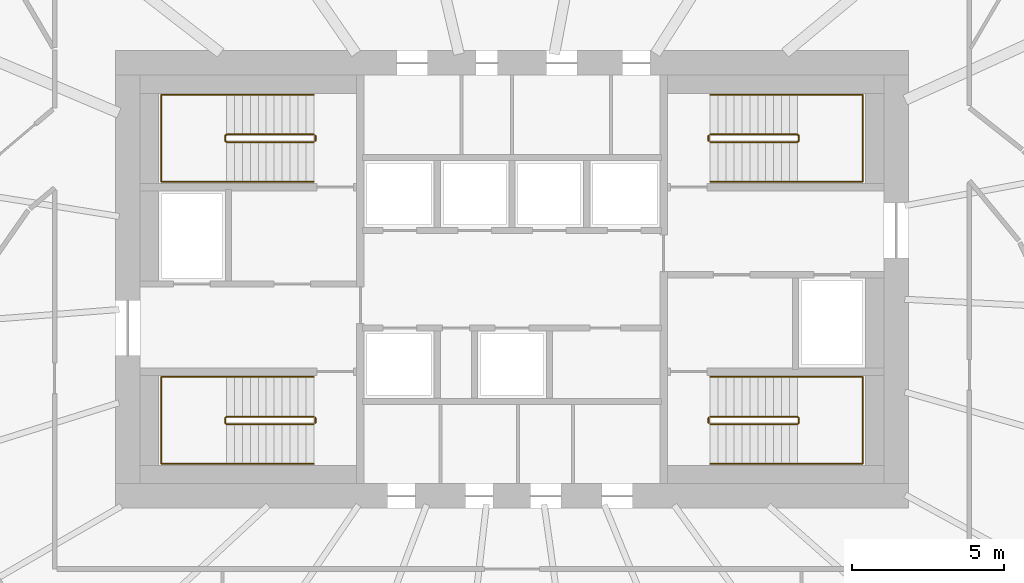
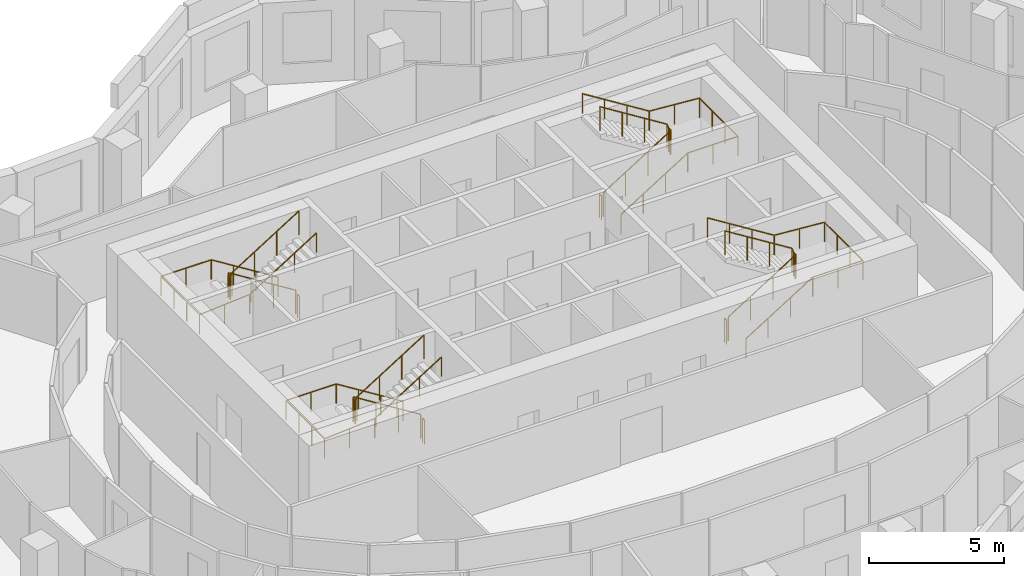
# One storey, part 10 of 10: 12 railings.
"""IFC4 building model written with IfcOpenShell, lengths in metres."""

from ifc_helpers import new_model, si_unit, direction, frame, origin, origin_2d, place, context, subcontext, project, spatial, circle, extrude, material, type_object, element, save


model = new_model("IFC4")

# Units and contexts
model_context = context("Model", 3, precision=1e-05, world=origin(), true_north=direction((0.0, 1.0)))
body_context = subcontext(model_context, "Body", "Model", "MODEL_VIEW")
ifc_project = project(units=[si_unit("LENGTHUNIT", "METRE"), si_unit("AREAUNIT", "SQUARE_METRE"), si_unit("VOLUMEUNIT", "CUBIC_METRE"), si_unit("PLANEANGLEUNIT", "RADIAN"), si_unit("MASSUNIT", "GRAM", prefix="KILO")], contexts=[model_context])

# Site, building, storey
site_placement = place(None, origin())
site = spatial("IfcSite", under=ifc_project, at=site_placement, CompositionType="ELEMENT")
building_placement = place(site_placement, origin())
building = spatial("IfcBuilding", under=site, at=building_placement, Name="Rubra Terraces Tower", CompositionType="ELEMENT")
storey_placement = place(building_placement, frame((0.0, 0.0, 205.199951171875)))
storey = spatial("IfcBuildingStorey", under=building, at=storey_placement, Name="L50", CompositionType="ELEMENT", Elevation=205.199951171875)

# Railings
ifc_material = material(Name="Stainless steel", Category="steel")
railing_type_1 = type_object("IfcRailingType", Name="Core stair guard 1100", PredefinedType="GUARDRAIL", material=ifc_material)
railing_1_placement = place(storey_placement, frame((-6.5, 0.0, 0.16259765625)))
element("IfcRailing", 1, at=railing_1_placement, inside=storey, type_object=railing_type_1, Name="L50 stair S1 guard 1", PredefinedType="GUARDRAIL", context=body_context, shape_type="SweptSolid", body=[
    extrude(circle(Radius=0.02392578125, at=origin_2d()), frame((0.0, 0.0, 1.076171875), z_axis=(-0.848026770018, 0.0, 0.529953391661), x_axis=(0.0, -1.0, 0.0)), (0.0, 0.0, 1.0), 3.37255859375),
    extrude(circle(Radius=0.02392578125, at=origin_2d()), frame((-2.860107421875, 0.0, 2.86328125), z_axis=(-0.705375805398, -0.708833529934, 0.0), x_axis=(0.708833529934, -0.705375805398, 0.0)), (0.0, 0.0, 1.0), 0.070556640625),
    extrude(circle(Radius=0.02392578125, at=origin_2d()), frame((-2.909912109375, -0.050048828125, 2.86328125), z_axis=(0.0, -1.0, 0.0), x_axis=(1.0, 0.0, 0.0)), (0.0, 0.0, 1.0), 0.14990234375),
    extrude(circle(Radius=0.02392578125, at=origin_2d()), frame((-2.909912109375, -0.199951171875, 2.86328125), z_axis=(0.280959487676, -0.282336740067, 0.917250092119), x_axis=(0.708833529934, 0.705375805398, 0.0)), (0.0, 0.0, 1.0), 0.17724609375),
    extrude(circle(Radius=0.02392578125, at=origin_2d()), frame((-2.860107421875, -0.25, 3.02587890625), z_axis=(0.847994237388, 0.0, 0.530005446535), x_axis=(0.0, 1.0, 0.0)), (0.0, 0.0, 1.0), 3.372802734375),
    extrude(circle(Radius=0.02099609375, at=origin_2d()), origin(), (0.0, 0.0, 1.0), 1.052001953125),
    extrude(circle(Radius=0.02099609375, at=origin_2d()), frame((-0.953369140625, 0.0, 0.595703125)), (0.0, 0.0, 1.0), 1.052001953125),
    extrude(circle(Radius=0.02099609375, at=origin_2d()), frame((-1.90673828125, 0.0, 1.191650390625)), (0.0, 0.0, 1.0), 1.052001953125),
    extrude(circle(Radius=0.02099609375, at=origin_2d()), frame((-2.860107421875, 0.0, 1.787353515625)), (0.0, 0.0, 1.0), 1.052001953125),
    extrude(circle(Radius=0.02099609375, at=origin_2d()), frame((-2.909912109375, -0.050048828125, 1.787353515625)), (0.0, 0.0, 1.0), 1.052001953125),
    extrude(circle(Radius=0.02099609375, at=origin_2d()), frame((-2.909912109375, -0.199951171875, 1.787353515625)), (0.0, 0.0, 1.0), 1.052001953125),
    extrude(circle(Radius=0.02099609375, at=origin_2d()), frame((-2.860107421875, -0.25, 1.949951171875)), (0.0, 0.0, 1.0), 1.052001953125),
    extrude(circle(Radius=0.02099609375, at=origin_2d()), frame((-1.90673828125, -0.25, 2.5458984375)), (0.0, 0.0, 1.0), 1.052001953125),
    extrude(circle(Radius=0.02099609375, at=origin_2d()), frame((-0.953369140625, -0.25, 3.1416015625)), (0.0, 0.0, 1.0), 1.052001953125),
    extrude(circle(Radius=0.02099609375, at=origin_2d()), frame((0.0, -0.25, 3.737548828125)), (0.0, 0.0, 1.0), 1.052001953125),
])
railing_2_placement = place(storey_placement, frame((-6.449951171875, -0.050048828125, 0.0)))
element("IfcRailing", 2, at=railing_2_placement, inside=storey, type_object=railing_type_1, Name="L50 stair S1 guard 2", PredefinedType="GUARDRAIL", context=body_context, shape_type="SweptSolid", body=[
    extrude(circle(Radius=0.02392578125, at=origin_2d()), frame((0.0, 0.0, 1.076171875), z_axis=(0.0, -1.0, 0.0), x_axis=(1.0, 0.0, 0.0)), (0.0, 0.0, 1.0), 0.14990234375),
    extrude(circle(Radius=0.02099609375, at=origin_2d()), origin(), (0.0, 0.0, 1.0), 1.052001953125),
    extrude(circle(Radius=0.02099609375, at=origin_2d()), frame((0.0, -0.14990234375, 0.0)), (0.0, 0.0, 1.0), 1.052001953125),
])
railing_3_placement = place(storey_placement, frame((-6.5, 9.25, 0.16259765625)))
element("IfcRailing", 3, at=railing_3_placement, inside=storey, type_object=railing_type_1, Name="L50 stair S2 guard 1", PredefinedType="GUARDRAIL", context=body_context, shape_type="SweptSolid", body=[
    extrude(circle(Radius=0.02392578125, at=origin_2d()), frame((0.0, 0.0, 1.076171875), z_axis=(-0.848026770018, 0.0, 0.529953391661), x_axis=(0.0, -1.0, 0.0)), (0.0, 0.0, 1.0), 3.37255859375),
    extrude(circle(Radius=0.02392578125, at=origin_2d()), frame((-2.860107421875, 0.0, 2.86328125), z_axis=(-0.705375805398, -0.708833529934, 0.0), x_axis=(0.708833529934, -0.705375805398, 0.0)), (0.0, 0.0, 1.0), 0.070556640625),
    extrude(circle(Radius=0.02392578125, at=origin_2d()), frame((-2.909912109375, -0.050048828125, 2.86328125), z_axis=(0.0, -1.0, 0.0), x_axis=(1.0, 0.0, 0.0)), (0.0, 0.0, 1.0), 0.14990234375),
    extrude(circle(Radius=0.02392578125, at=origin_2d()), frame((-2.909912109375, -0.199951171875, 2.86328125), z_axis=(0.280959487676, -0.282336740067, 0.917250092119), x_axis=(0.708833529934, 0.705375805398, 0.0)), (0.0, 0.0, 1.0), 0.17724609375),
    extrude(circle(Radius=0.02392578125, at=origin_2d()), frame((-2.860107421875, -0.25, 3.02587890625), z_axis=(0.847994237388, 0.0, 0.530005446535), x_axis=(0.0, 1.0, 0.0)), (0.0, 0.0, 1.0), 3.372802734375),
    extrude(circle(Radius=0.02099609375, at=origin_2d()), origin(), (0.0, 0.0, 1.0), 1.052001953125),
    extrude(circle(Radius=0.02099609375, at=origin_2d()), frame((-0.953369140625, 0.0, 0.595703125)), (0.0, 0.0, 1.0), 1.052001953125),
    extrude(circle(Radius=0.02099609375, at=origin_2d()), frame((-1.90673828125, 0.0, 1.191650390625)), (0.0, 0.0, 1.0), 1.052001953125),
    extrude(circle(Radius=0.02099609375, at=origin_2d()), frame((-2.860107421875, 0.0, 1.787353515625)), (0.0, 0.0, 1.0), 1.052001953125),
    extrude(circle(Radius=0.02099609375, at=origin_2d()), frame((-2.909912109375, -0.050048828125, 1.787353515625)), (0.0, 0.0, 1.0), 1.052001953125),
    extrude(circle(Radius=0.02099609375, at=origin_2d()), frame((-2.909912109375, -0.199951171875, 1.787353515625)), (0.0, 0.0, 1.0), 1.052001953125),
    extrude(circle(Radius=0.02099609375, at=origin_2d()), frame((-2.860107421875, -0.25, 1.949951171875)), (0.0, 0.0, 1.0), 1.052001953125),
    extrude(circle(Radius=0.02099609375, at=origin_2d()), frame((-1.90673828125, -0.25, 2.5458984375)), (0.0, 0.0, 1.0), 1.052001953125),
    extrude(circle(Radius=0.02099609375, at=origin_2d()), frame((-0.953369140625, -0.25, 3.1416015625)), (0.0, 0.0, 1.0), 1.052001953125),
    extrude(circle(Radius=0.02099609375, at=origin_2d()), frame((0.0, -0.25, 3.737548828125)), (0.0, 0.0, 1.0), 1.052001953125),
])
railing_4_placement = place(storey_placement, frame((-6.449951171875, 9.199951171875, 0.0)))
element("IfcRailing", 4, at=railing_4_placement, inside=storey, type_object=railing_type_1, Name="L50 stair S2 guard 2", PredefinedType="GUARDRAIL", context=body_context, shape_type="SweptSolid", body=[
    extrude(circle(Radius=0.02392578125, at=origin_2d()), frame((0.0, 0.0, 1.076171875), z_axis=(0.0, -1.0, 0.0), x_axis=(1.0, 0.0, 0.0)), (0.0, 0.0, 1.0), 0.14990234375),
    extrude(circle(Radius=0.02099609375, at=origin_2d()), origin(), (0.0, 0.0, 1.0), 1.052001953125),
    extrude(circle(Radius=0.02099609375, at=origin_2d()), frame((0.0, -0.14990234375, 0.0)), (0.0, 0.0, 1.0), 1.052001953125),
])
railing_5_placement = place(storey_placement, frame((6.5, 9.0, 0.16259765625)))
element("IfcRailing", 5, at=railing_5_placement, inside=storey, type_object=railing_type_1, Name="L50 stair S3 guard 1", PredefinedType="GUARDRAIL", context=body_context, shape_type="SweptSolid", body=[
    extrude(circle(Radius=0.02392578125, at=origin_2d()), frame((0.0, 0.0, 1.076171875), z_axis=(0.848026770018, 0.0, 0.529953391661), x_axis=(0.0, 1.0, 0.0)), (0.0, 0.0, 1.0), 3.37255859375),
    extrude(circle(Radius=0.02392578125, at=origin_2d()), frame((2.860107421875, 0.0, 2.86328125), z_axis=(0.705375805398, 0.708833529934, 0.0), x_axis=(-0.708833529934, 0.705375805398, 0.0)), (0.0, 0.0, 1.0), 0.070556640625),
    extrude(circle(Radius=0.02392578125, at=origin_2d()), frame((2.909912109375, 0.050048828125, 2.86328125), z_axis=(0.0, 1.0, 0.0), x_axis=(-1.0, 0.0, 0.0)), (0.0, 0.0, 1.0), 0.14990234375),
    extrude(circle(Radius=0.02392578125, at=origin_2d()), frame((2.909912109375, 0.199951171875, 2.86328125), z_axis=(-0.280959487676, 0.282336740067, 0.917250092119), x_axis=(-0.708833529934, -0.705375805398, 0.0)), (0.0, 0.0, 1.0), 0.17724609375),
    extrude(circle(Radius=0.02392578125, at=origin_2d()), frame((2.860107421875, 0.25, 3.02587890625), z_axis=(-0.847994237388, 0.0, 0.530005446535), x_axis=(0.0, -1.0, 0.0)), (0.0, 0.0, 1.0), 3.372802734375),
    extrude(circle(Radius=0.02099609375, at=origin_2d()), origin(), (0.0, 0.0, 1.0), 1.052001953125),
    extrude(circle(Radius=0.02099609375, at=origin_2d()), frame((0.953369140625, 0.0, 0.595703125)), (0.0, 0.0, 1.0), 1.052001953125),
    extrude(circle(Radius=0.02099609375, at=origin_2d()), frame((1.90673828125, 0.0, 1.191650390625)), (0.0, 0.0, 1.0), 1.052001953125),
    extrude(circle(Radius=0.02099609375, at=origin_2d()), frame((2.860107421875, 0.0, 1.787353515625)), (0.0, 0.0, 1.0), 1.052001953125),
    extrude(circle(Radius=0.02099609375, at=origin_2d()), frame((2.909912109375, 0.050048828125, 1.787353515625)), (0.0, 0.0, 1.0), 1.052001953125),
    extrude(circle(Radius=0.02099609375, at=origin_2d()), frame((2.909912109375, 0.199951171875, 1.787353515625)), (0.0, 0.0, 1.0), 1.052001953125),
    extrude(circle(Radius=0.02099609375, at=origin_2d()), frame((2.860107421875, 0.25, 1.949951171875)), (0.0, 0.0, 1.0), 1.052001953125),
    extrude(circle(Radius=0.02099609375, at=origin_2d()), frame((1.90673828125, 0.25, 2.5458984375)), (0.0, 0.0, 1.0), 1.052001953125),
    extrude(circle(Radius=0.02099609375, at=origin_2d()), frame((0.953369140625, 0.25, 3.1416015625)), (0.0, 0.0, 1.0), 1.052001953125),
    extrude(circle(Radius=0.02099609375, at=origin_2d()), frame((0.0, 0.25, 3.737548828125)), (0.0, 0.0, 1.0), 1.052001953125),
])
railing_6_placement = place(storey_placement, frame((6.449951171875, 9.050048828125, 0.0)))
element("IfcRailing", 6, at=railing_6_placement, inside=storey, type_object=railing_type_1, Name="L50 stair S3 guard 2", PredefinedType="GUARDRAIL", context=body_context, shape_type="SweptSolid", body=[
    extrude(circle(Radius=0.02392578125, at=origin_2d()), frame((0.0, 0.0, 1.076171875), z_axis=(0.0, 1.0, 0.0), x_axis=(-1.0, 0.0, 0.0)), (0.0, 0.0, 1.0), 0.14990234375),
    extrude(circle(Radius=0.02099609375, at=origin_2d()), origin(), (0.0, 0.0, 1.0), 1.052001953125),
    extrude(circle(Radius=0.02099609375, at=origin_2d()), frame((0.0, 0.14990234375, 0.0)), (0.0, 0.0, 1.0), 1.052001953125),
])
railing_7_placement = place(storey_placement, frame((6.5, -0.25, 0.16259765625)))
element("IfcRailing", 7, at=railing_7_placement, inside=storey, type_object=railing_type_1, Name="L50 stair S4 guard 1", PredefinedType="GUARDRAIL", context=body_context, shape_type="SweptSolid", body=[
    extrude(circle(Radius=0.02392578125, at=origin_2d()), frame((0.0, 0.0, 1.076171875), z_axis=(0.848026770018, 0.0, 0.529953391661), x_axis=(0.0, 1.0, 0.0)), (0.0, 0.0, 1.0), 3.37255859375),
    extrude(circle(Radius=0.02392578125, at=origin_2d()), frame((2.860107421875, 0.0, 2.86328125), z_axis=(0.705375805398, 0.708833529934, 0.0), x_axis=(-0.708833529934, 0.705375805398, 0.0)), (0.0, 0.0, 1.0), 0.070556640625),
    extrude(circle(Radius=0.02392578125, at=origin_2d()), frame((2.909912109375, 0.050048828125, 2.86328125), z_axis=(0.0, 1.0, 0.0), x_axis=(-1.0, 0.0, 0.0)), (0.0, 0.0, 1.0), 0.14990234375),
    extrude(circle(Radius=0.02392578125, at=origin_2d()), frame((2.909912109375, 0.199951171875, 2.86328125), z_axis=(-0.280959487676, 0.282336740067, 0.917250092119), x_axis=(-0.708833529934, -0.705375805398, 0.0)), (0.0, 0.0, 1.0), 0.17724609375),
    extrude(circle(Radius=0.02392578125, at=origin_2d()), frame((2.860107421875, 0.25, 3.02587890625), z_axis=(-0.847994237388, 0.0, 0.530005446535), x_axis=(0.0, -1.0, 0.0)), (0.0, 0.0, 1.0), 3.372802734375),
    extrude(circle(Radius=0.02099609375, at=origin_2d()), origin(), (0.0, 0.0, 1.0), 1.052001953125),
    extrude(circle(Radius=0.02099609375, at=origin_2d()), frame((0.953369140625, 0.0, 0.595703125)), (0.0, 0.0, 1.0), 1.052001953125),
    extrude(circle(Radius=0.02099609375, at=origin_2d()), frame((1.90673828125, 0.0, 1.191650390625)), (0.0, 0.0, 1.0), 1.052001953125),
    extrude(circle(Radius=0.02099609375, at=origin_2d()), frame((2.860107421875, 0.0, 1.787353515625)), (0.0, 0.0, 1.0), 1.052001953125),
    extrude(circle(Radius=0.02099609375, at=origin_2d()), frame((2.909912109375, 0.050048828125, 1.787353515625)), (0.0, 0.0, 1.0), 1.052001953125),
    extrude(circle(Radius=0.02099609375, at=origin_2d()), frame((2.909912109375, 0.199951171875, 1.787353515625)), (0.0, 0.0, 1.0), 1.052001953125),
    extrude(circle(Radius=0.02099609375, at=origin_2d()), frame((2.860107421875, 0.25, 1.949951171875)), (0.0, 0.0, 1.0), 1.052001953125),
    extrude(circle(Radius=0.02099609375, at=origin_2d()), frame((1.90673828125, 0.25, 2.5458984375)), (0.0, 0.0, 1.0), 1.052001953125),
    extrude(circle(Radius=0.02099609375, at=origin_2d()), frame((0.953369140625, 0.25, 3.1416015625)), (0.0, 0.0, 1.0), 1.052001953125),
    extrude(circle(Radius=0.02099609375, at=origin_2d()), frame((0.0, 0.25, 3.737548828125)), (0.0, 0.0, 1.0), 1.052001953125),
])
railing_8_placement = place(storey_placement, frame((6.449951171875, -0.199951171875, 0.0)))
element("IfcRailing", 8, at=railing_8_placement, inside=storey, type_object=railing_type_1, Name="L50 stair S4 guard 2", PredefinedType="GUARDRAIL", context=body_context, shape_type="SweptSolid", body=[
    extrude(circle(Radius=0.02392578125, at=origin_2d()), frame((0.0, 0.0, 1.076171875), z_axis=(0.0, 1.0, 0.0), x_axis=(-1.0, 0.0, 0.0)), (0.0, 0.0, 1.0), 0.14990234375),
    extrude(circle(Radius=0.02099609375, at=origin_2d()), origin(), (0.0, 0.0, 1.0), 1.052001953125),
    extrude(circle(Radius=0.02099609375, at=origin_2d()), frame((0.0, 0.14990234375, 0.0)), (0.0, 0.0, 1.0), 1.052001953125),
])
railing_type_2 = type_object("IfcRailingType", Name="Core stair handrail 900", PredefinedType="HANDRAIL", material=ifc_material)
railing_9_placement = place(storey_placement, frame((-6.5, 1.300048828125, 0.16259765625)))
element("IfcRailing", 9, at=railing_9_placement, inside=storey, type_object=railing_type_2, Name="L50 stair S1 handrail 1", PredefinedType="HANDRAIL", context=body_context, shape_type="SweptSolid", body=[
    extrude(circle(Radius=0.02392578125, at=origin_2d()), frame((0.0, 0.0, 0.8759765625), z_axis=(-0.848026770018, 0.0, 0.529953391661), x_axis=(0.0, -1.0, 0.0)), (0.0, 0.0, 1.0), 3.37255859375),
    extrude(circle(Radius=0.02392578125, at=origin_2d()), frame((-2.860107421875, 0.0, 2.6630859375), z_axis=(-1.0, 0.0, 0.0), x_axis=(0.0, -1.0, 0.0)), (0.0, 0.0, 1.0), 2.139892578125),
    extrude(circle(Radius=0.02392578125, at=origin_2d()), frame((-5.0, 0.0, 2.6630859375), z_axis=(0.0, -1.0, 0.0), x_axis=(1.0, 0.0, 0.0)), (0.0, 0.0, 1.0), 2.85009765625),
    extrude(circle(Radius=0.02392578125, at=origin_2d()), frame((-5.0, -2.85009765625, 2.6630859375), z_axis=(0.997125654253, 0.0, 0.075765623016), x_axis=(0.0, 1.0, 0.0)), (0.0, 0.0, 1.0), 2.14599609375),
    extrude(circle(Radius=0.02392578125, at=origin_2d()), frame((-2.860107421875, -2.85009765625, 2.82568359375), z_axis=(0.847994237388, 0.0, 0.530005446535), x_axis=(0.0, 1.0, 0.0)), (0.0, 0.0, 1.0), 3.372802734375),
    extrude(circle(Radius=0.02099609375, at=origin_2d()), origin(), (0.0, 0.0, 1.0), 0.851806640625),
    extrude(circle(Radius=0.02099609375, at=origin_2d()), frame((-0.953369140625, 0.0, 0.595703125)), (0.0, 0.0, 1.0), 0.851806640625),
    extrude(circle(Radius=0.02099609375, at=origin_2d()), frame((-1.90673828125, 0.0, 1.191650390625)), (0.0, 0.0, 1.0), 0.851806640625),
    extrude(circle(Radius=0.02099609375, at=origin_2d()), frame((-2.860107421875, 0.0, 1.787353515625)), (0.0, 0.0, 1.0), 0.851806640625),
    extrude(circle(Radius=0.02099609375, at=origin_2d()), frame((-3.93017578125, 0.0, 1.787353515625)), (0.0, 0.0, 1.0), 0.851806640625),
    extrude(circle(Radius=0.02099609375, at=origin_2d()), frame((-5.0, 0.0, 1.787353515625)), (0.0, 0.0, 1.0), 0.851806640625),
    extrude(circle(Radius=0.02099609375, at=origin_2d()), frame((-5.0, -0.949951171875, 1.787353515625)), (0.0, 0.0, 1.0), 0.851806640625),
    extrude(circle(Radius=0.02099609375, at=origin_2d()), frame((-5.0, -1.900146484375, 1.787353515625)), (0.0, 0.0, 1.0), 0.851806640625),
    extrude(circle(Radius=0.02099609375, at=origin_2d()), frame((-5.0, -2.85009765625, 1.787353515625)), (0.0, 0.0, 1.0), 0.851806640625),
    extrude(circle(Radius=0.02099609375, at=origin_2d()), frame((-3.93017578125, -2.85009765625, 1.86865234375)), (0.0, 0.0, 1.0), 0.851806640625),
    extrude(circle(Radius=0.02099609375, at=origin_2d()), frame((-2.860107421875, -2.85009765625, 1.949951171875)), (0.0, 0.0, 1.0), 0.851806640625),
    extrude(circle(Radius=0.02099609375, at=origin_2d()), frame((-1.90673828125, -2.85009765625, 2.5458984375)), (0.0, 0.0, 1.0), 0.851806640625),
    extrude(circle(Radius=0.02099609375, at=origin_2d()), frame((-0.953369140625, -2.85009765625, 3.1416015625)), (0.0, 0.0, 1.0), 0.851806640625),
    extrude(circle(Radius=0.02099609375, at=origin_2d()), frame((0.0, -2.85009765625, 3.737548828125)), (0.0, 0.0, 1.0), 0.851806640625),
])
railing_10_placement = place(storey_placement, frame((-6.5, 10.550048828125, 0.16259765625)))
element("IfcRailing", 10, at=railing_10_placement, inside=storey, type_object=railing_type_2, Name="L50 stair S2 handrail 1", PredefinedType="HANDRAIL", context=body_context, shape_type="SweptSolid", body=[
    extrude(circle(Radius=0.02392578125, at=origin_2d()), frame((0.0, 0.0, 0.8759765625), z_axis=(-0.848026770018, 0.0, 0.529953391661), x_axis=(0.0, -1.0, 0.0)), (0.0, 0.0, 1.0), 3.37255859375),
    extrude(circle(Radius=0.02392578125, at=origin_2d()), frame((-2.860107421875, 0.0, 2.6630859375), z_axis=(-1.0, 0.0, 0.0), x_axis=(0.0, -1.0, 0.0)), (0.0, 0.0, 1.0), 2.139892578125),
    extrude(circle(Radius=0.02392578125, at=origin_2d()), frame((-5.0, 0.0, 2.6630859375), z_axis=(0.0, -1.0, 0.0), x_axis=(1.0, 0.0, 0.0)), (0.0, 0.0, 1.0), 2.85009765625),
    extrude(circle(Radius=0.02392578125, at=origin_2d()), frame((-5.0, -2.85009765625, 2.6630859375), z_axis=(0.997125654253, 0.0, 0.075765623016), x_axis=(0.0, 1.0, 0.0)), (0.0, 0.0, 1.0), 2.14599609375),
    extrude(circle(Radius=0.02392578125, at=origin_2d()), frame((-2.860107421875, -2.85009765625, 2.82568359375), z_axis=(0.847994237388, 0.0, 0.530005446535), x_axis=(0.0, 1.0, 0.0)), (0.0, 0.0, 1.0), 3.372802734375),
    extrude(circle(Radius=0.02099609375, at=origin_2d()), origin(), (0.0, 0.0, 1.0), 0.851806640625),
    extrude(circle(Radius=0.02099609375, at=origin_2d()), frame((-0.953369140625, 0.0, 0.595703125)), (0.0, 0.0, 1.0), 0.851806640625),
    extrude(circle(Radius=0.02099609375, at=origin_2d()), frame((-1.90673828125, 0.0, 1.191650390625)), (0.0, 0.0, 1.0), 0.851806640625),
    extrude(circle(Radius=0.02099609375, at=origin_2d()), frame((-2.860107421875, 0.0, 1.787353515625)), (0.0, 0.0, 1.0), 0.851806640625),
    extrude(circle(Radius=0.02099609375, at=origin_2d()), frame((-3.93017578125, 0.0, 1.787353515625)), (0.0, 0.0, 1.0), 0.851806640625),
    extrude(circle(Radius=0.02099609375, at=origin_2d()), frame((-5.0, 0.0, 1.787353515625)), (0.0, 0.0, 1.0), 0.851806640625),
    extrude(circle(Radius=0.02099609375, at=origin_2d()), frame((-5.0, -0.949951171875, 1.787353515625)), (0.0, 0.0, 1.0), 0.851806640625),
    extrude(circle(Radius=0.02099609375, at=origin_2d()), frame((-5.0, -1.900146484375, 1.787353515625)), (0.0, 0.0, 1.0), 0.851806640625),
    extrude(circle(Radius=0.02099609375, at=origin_2d()), frame((-5.0, -2.85009765625, 1.787353515625)), (0.0, 0.0, 1.0), 0.851806640625),
    extrude(circle(Radius=0.02099609375, at=origin_2d()), frame((-3.93017578125, -2.85009765625, 1.86865234375)), (0.0, 0.0, 1.0), 0.851806640625),
    extrude(circle(Radius=0.02099609375, at=origin_2d()), frame((-2.860107421875, -2.85009765625, 1.949951171875)), (0.0, 0.0, 1.0), 0.851806640625),
    extrude(circle(Radius=0.02099609375, at=origin_2d()), frame((-1.90673828125, -2.85009765625, 2.5458984375)), (0.0, 0.0, 1.0), 0.851806640625),
    extrude(circle(Radius=0.02099609375, at=origin_2d()), frame((-0.953369140625, -2.85009765625, 3.1416015625)), (0.0, 0.0, 1.0), 0.851806640625),
    extrude(circle(Radius=0.02099609375, at=origin_2d()), frame((0.0, -2.85009765625, 3.737548828125)), (0.0, 0.0, 1.0), 0.851806640625),
])
railing_11_placement = place(storey_placement, frame((6.5, 7.699951171875, 0.16259765625)))
element("IfcRailing", 11, at=railing_11_placement, inside=storey, type_object=railing_type_2, Name="L50 stair S3 handrail 1", PredefinedType="HANDRAIL", context=body_context, shape_type="SweptSolid", body=[
    extrude(circle(Radius=0.02392578125, at=origin_2d()), frame((0.0, 0.0, 0.8759765625), z_axis=(0.848026770018, 0.0, 0.529953391661), x_axis=(0.0, 1.0, 0.0)), (0.0, 0.0, 1.0), 3.37255859375),
    extrude(circle(Radius=0.02392578125, at=origin_2d()), frame((2.860107421875, 0.0, 2.6630859375), z_axis=(1.0, 0.0, 0.0), x_axis=(0.0, 1.0, 0.0)), (0.0, 0.0, 1.0), 2.139892578125),
    extrude(circle(Radius=0.02392578125, at=origin_2d()), frame((5.0, 0.0, 2.6630859375), z_axis=(0.0, 1.0, 0.0), x_axis=(-1.0, 0.0, 0.0)), (0.0, 0.0, 1.0), 2.85009765625),
    extrude(circle(Radius=0.02392578125, at=origin_2d()), frame((5.0, 2.85009765625, 2.6630859375), z_axis=(-0.997125654253, 0.0, 0.075765623016), x_axis=(0.0, -1.0, 0.0)), (0.0, 0.0, 1.0), 2.14599609375),
    extrude(circle(Radius=0.02392578125, at=origin_2d()), frame((2.860107421875, 2.85009765625, 2.82568359375), z_axis=(-0.847994237388, 0.0, 0.530005446535), x_axis=(0.0, -1.0, 0.0)), (0.0, 0.0, 1.0), 3.372802734375),
    extrude(circle(Radius=0.02099609375, at=origin_2d()), origin(), (0.0, 0.0, 1.0), 0.851806640625),
    extrude(circle(Radius=0.02099609375, at=origin_2d()), frame((0.953369140625, 0.0, 0.595703125)), (0.0, 0.0, 1.0), 0.851806640625),
    extrude(circle(Radius=0.02099609375, at=origin_2d()), frame((1.90673828125, 0.0, 1.191650390625)), (0.0, 0.0, 1.0), 0.851806640625),
    extrude(circle(Radius=0.02099609375, at=origin_2d()), frame((2.860107421875, 0.0, 1.787353515625)), (0.0, 0.0, 1.0), 0.851806640625),
    extrude(circle(Radius=0.02099609375, at=origin_2d()), frame((3.93017578125, 0.0, 1.787353515625)), (0.0, 0.0, 1.0), 0.851806640625),
    extrude(circle(Radius=0.02099609375, at=origin_2d()), frame((5.0, 0.0, 1.787353515625)), (0.0, 0.0, 1.0), 0.851806640625),
    extrude(circle(Radius=0.02099609375, at=origin_2d()), frame((5.0, 0.949951171875, 1.787353515625)), (0.0, 0.0, 1.0), 0.851806640625),
    extrude(circle(Radius=0.02099609375, at=origin_2d()), frame((5.0, 1.900146484375, 1.787353515625)), (0.0, 0.0, 1.0), 0.851806640625),
    extrude(circle(Radius=0.02099609375, at=origin_2d()), frame((5.0, 2.85009765625, 1.787353515625)), (0.0, 0.0, 1.0), 0.851806640625),
    extrude(circle(Radius=0.02099609375, at=origin_2d()), frame((3.93017578125, 2.85009765625, 1.86865234375)), (0.0, 0.0, 1.0), 0.851806640625),
    extrude(circle(Radius=0.02099609375, at=origin_2d()), frame((2.860107421875, 2.85009765625, 1.949951171875)), (0.0, 0.0, 1.0), 0.851806640625),
    extrude(circle(Radius=0.02099609375, at=origin_2d()), frame((1.90673828125, 2.85009765625, 2.5458984375)), (0.0, 0.0, 1.0), 0.851806640625),
    extrude(circle(Radius=0.02099609375, at=origin_2d()), frame((0.953369140625, 2.85009765625, 3.1416015625)), (0.0, 0.0, 1.0), 0.851806640625),
    extrude(circle(Radius=0.02099609375, at=origin_2d()), frame((0.0, 2.85009765625, 3.737548828125)), (0.0, 0.0, 1.0), 0.851806640625),
])
railing_12_placement = place(storey_placement, frame((6.5, -1.550048828125, 0.16259765625)))
element("IfcRailing", 12, at=railing_12_placement, inside=storey, type_object=railing_type_2, Name="L50 stair S4 handrail 1", PredefinedType="HANDRAIL", context=body_context, shape_type="SweptSolid", body=[
    extrude(circle(Radius=0.02392578125, at=origin_2d()), frame((0.0, 0.0, 0.8759765625), z_axis=(0.848026770018, 0.0, 0.529953391661), x_axis=(0.0, 1.0, 0.0)), (0.0, 0.0, 1.0), 3.37255859375),
    extrude(circle(Radius=0.02392578125, at=origin_2d()), frame((2.860107421875, 0.0, 2.6630859375), z_axis=(1.0, 0.0, 0.0), x_axis=(0.0, 1.0, 0.0)), (0.0, 0.0, 1.0), 2.139892578125),
    extrude(circle(Radius=0.02392578125, at=origin_2d()), frame((5.0, 0.0, 2.6630859375), z_axis=(0.0, 1.0, 0.0), x_axis=(-1.0, 0.0, 0.0)), (0.0, 0.0, 1.0), 2.85009765625),
    extrude(circle(Radius=0.02392578125, at=origin_2d()), frame((5.0, 2.85009765625, 2.6630859375), z_axis=(-0.997125654253, 0.0, 0.075765623016), x_axis=(0.0, -1.0, 0.0)), (0.0, 0.0, 1.0), 2.14599609375),
    extrude(circle(Radius=0.02392578125, at=origin_2d()), frame((2.860107421875, 2.85009765625, 2.82568359375), z_axis=(-0.847994237388, 0.0, 0.530005446535), x_axis=(0.0, -1.0, 0.0)), (0.0, 0.0, 1.0), 3.372802734375),
    extrude(circle(Radius=0.02099609375, at=origin_2d()), origin(), (0.0, 0.0, 1.0), 0.851806640625),
    extrude(circle(Radius=0.02099609375, at=origin_2d()), frame((0.953369140625, 0.0, 0.595703125)), (0.0, 0.0, 1.0), 0.851806640625),
    extrude(circle(Radius=0.02099609375, at=origin_2d()), frame((1.90673828125, 0.0, 1.191650390625)), (0.0, 0.0, 1.0), 0.851806640625),
    extrude(circle(Radius=0.02099609375, at=origin_2d()), frame((2.860107421875, 0.0, 1.787353515625)), (0.0, 0.0, 1.0), 0.851806640625),
    extrude(circle(Radius=0.02099609375, at=origin_2d()), frame((3.93017578125, 0.0, 1.787353515625)), (0.0, 0.0, 1.0), 0.851806640625),
    extrude(circle(Radius=0.02099609375, at=origin_2d()), frame((5.0, 0.0, 1.787353515625)), (0.0, 0.0, 1.0), 0.851806640625),
    extrude(circle(Radius=0.02099609375, at=origin_2d()), frame((5.0, 0.949951171875, 1.787353515625)), (0.0, 0.0, 1.0), 0.851806640625),
    extrude(circle(Radius=0.02099609375, at=origin_2d()), frame((5.0, 1.900146484375, 1.787353515625)), (0.0, 0.0, 1.0), 0.851806640625),
    extrude(circle(Radius=0.02099609375, at=origin_2d()), frame((5.0, 2.85009765625, 1.787353515625)), (0.0, 0.0, 1.0), 0.851806640625),
    extrude(circle(Radius=0.02099609375, at=origin_2d()), frame((3.93017578125, 2.85009765625, 1.86865234375)), (0.0, 0.0, 1.0), 0.851806640625),
    extrude(circle(Radius=0.02099609375, at=origin_2d()), frame((2.860107421875, 2.85009765625, 1.949951171875)), (0.0, 0.0, 1.0), 0.851806640625),
    extrude(circle(Radius=0.02099609375, at=origin_2d()), frame((1.90673828125, 2.85009765625, 2.5458984375)), (0.0, 0.0, 1.0), 0.851806640625),
    extrude(circle(Radius=0.02099609375, at=origin_2d()), frame((0.953369140625, 2.85009765625, 3.1416015625)), (0.0, 0.0, 1.0), 0.851806640625),
    extrude(circle(Radius=0.02099609375, at=origin_2d()), frame((0.0, 2.85009765625, 3.737548828125)), (0.0, 0.0, 1.0), 0.851806640625),
])

save(model, "model.ifc")
